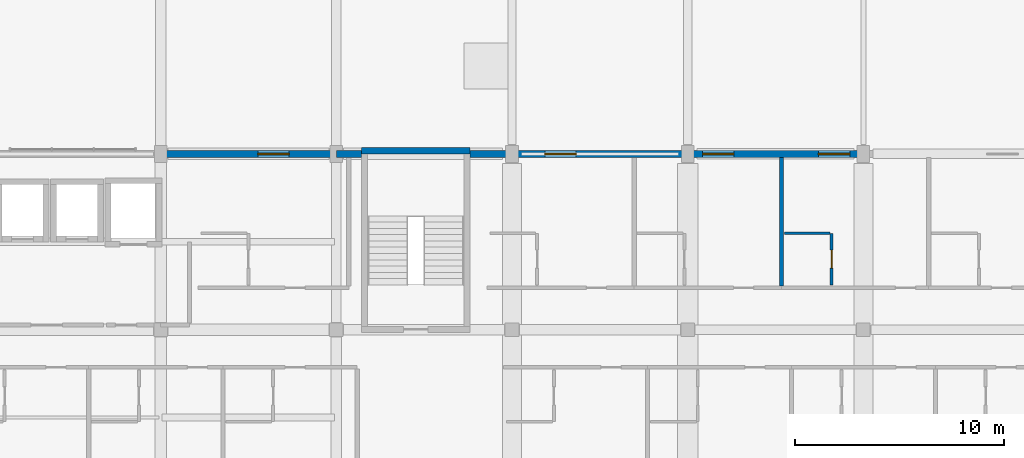
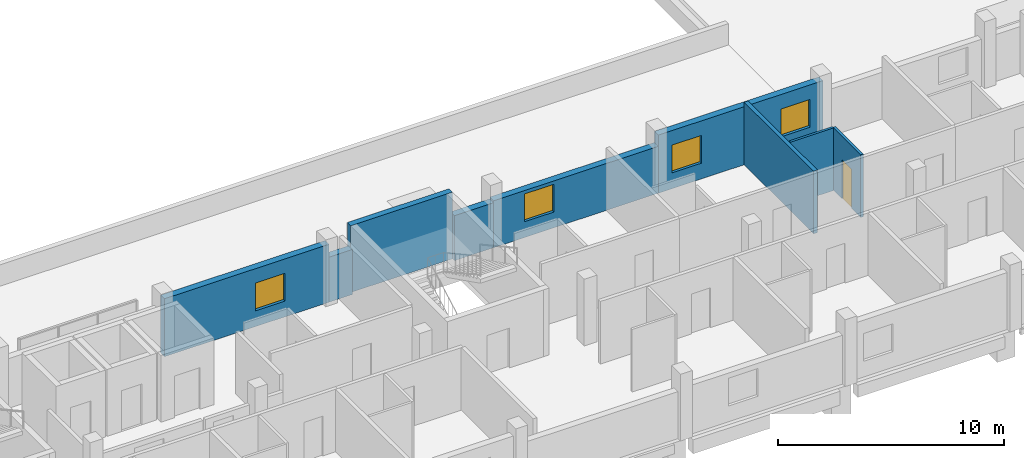
# One storey, part 35 of 42: 9 walls, 4 windows, 1 door, 5 openings.
"""IFC4 building model written with IfcOpenShell, lengths in metres."""

from ifc_helpers import new_model, si_unit, derived_unit, direction, frame, frame_2d, origin, place, context, subcontext, project, spatial, rectangle, extrude, material, layer, layer_set, type_object, element, fill, save


model = new_model("IFC4")

# Units and contexts
model_context = context("Model", 3, precision=1e-05, world=origin(), true_north=direction((0.0, 1.0)))
body_context = subcontext(model_context, "Body", "Model", "MODEL_VIEW")
ifc_project = project(units=[si_unit("LENGTHUNIT", "METRE"), si_unit("AREAUNIT", "SQUARE_METRE"), si_unit("VOLUMEUNIT", "CUBIC_METRE"), si_unit("PLANEANGLEUNIT", "RADIAN"), si_unit("MASSUNIT", "GRAM", prefix="KILO"), derived_unit("THERMALTRANSMITTANCEUNIT", [(si_unit("POWERUNIT", "WATT"), 1), (si_unit("LENGTHUNIT", "METRE"), -2), (si_unit("THERMODYNAMICTEMPERATUREUNIT", "KELVIN"), -1)])], contexts=[model_context])

# Site, building, storey
site_placement = place(None, origin())
site = spatial("IfcSite", under=ifc_project, at=site_placement, CompositionType="ELEMENT")
building_placement = place(site_placement, origin())
building = spatial("IfcBuilding", under=site, at=building_placement, Name="Barrovel Congress Hotel", CompositionType="ELEMENT")
storey_placement = place(building_placement, frame((0.0, 0.0, 18.300048828125)))
storey = spatial("IfcBuildingStorey", under=building, at=storey_placement, Name="L04", CompositionType="ELEMENT", Elevation=18.300048828125)

# Wall, openings, windows
ifc_material_1 = material(Name="Fired Clay Brick Masonry", Category="masonry")
ifc_layer_1 = layer(ifc_material_1, 0.340087890625)
ifc_layer_set_1 = layer_set([ifc_layer_1], Name="Fired Clay Brick Masonry")
wall_type_1 = type_object("IfcWallType", Name="EW-BRK340", PredefinedType="STANDARD", material=ifc_layer_set_1)
wall_1_placement = place(storey_placement, frame((126.0, 21.0, 0.0), z_axis=(0.0, 0.0, 1.0), x_axis=(-1.0, 0.0, 0.0)))
wall_1 = element("IfcWall", 1, at=wall_1_placement, inside=storey, type_object=wall_type_1, Name="EW:L04:HS-NE-2:P03", PredefinedType="STANDARD", context=body_context, shape_type="SweptSolid", body=[
    extrude(rectangle(XDim=8.39990234375, YDim=0.340087890625, at=frame_2d((4.199951171875, 0.0))), origin(), (0.0, 0.0, 1.0), 3.133056640625),
])
opening_1_placement = place(wall_1_placement, frame((6.18994140625, 0.0, 0.85009765625)))
opening_1 = element("IfcOpeningElement", 2, at=opening_1_placement, cuts=wall_1, Name="Opening WN-07", PredefinedType="OPENING", context=body_context, shape_type="SweptSolid", body=[
    extrude(rectangle(XDim=1.5, YDim=1.5, at=frame_2d((0.75, 0.75))), frame((0.0, 0.18017578125, 0.0), z_axis=(0.0, -1.0, 0.0), x_axis=(1.0, 0.0, 0.0)), (0.0, 0.0, 1.0), 0.360107421875),
])
opening_2_placement = place(wall_1_placement, frame((0.64990234375, 0.0, 0.85009765625)))
opening_2 = element("IfcOpeningElement", 3, at=opening_2_placement, cuts=wall_1, Name="Opening WN-07", PredefinedType="OPENING", context=body_context, shape_type="SweptSolid", body=[
    extrude(rectangle(XDim=1.5, YDim=1.5, at=frame_2d((0.75, 0.75))), frame((0.0, 0.18017578125, 0.0), z_axis=(0.0, -1.0, 0.0), x_axis=(1.0, 0.0, 0.0)), (0.0, 0.0, 1.0), 0.360107421875),
])
ifc_material_2 = material(Name="Double Low-E Insulated Glazing", Category="glass")
window_type = type_object("IfcWindowType", Name="WIN-WN-07", PartitioningType="SINGLE_PANEL", PredefinedType="WINDOW", material=ifc_material_2)
window_1_placement = place(opening_1_placement, origin())
window_1 = element("IfcWindow", 4, at=window_1_placement, inside=storey, type_object=window_type, Name="WIN:L04:U26", OverallHeight=1.5, OverallWidth=1.5, PartitioningType="SINGLE_PANEL", PredefinedType="WINDOW", context=body_context, shape_type="SweptSolid", body=[
    extrude(rectangle(XDim=1.5, YDim=1.5, at=frame_2d((0.75, 0.75))), frame((0.0, 0.030029296875, 0.0), z_axis=(0.0, -1.0, 0.0), x_axis=(1.0, 0.0, 0.0)), (0.0, 0.0, 1.0), 0.06005859375),
])
fill(opening_1, window_1)
window_2_placement = place(opening_2_placement, origin())
window_2 = element("IfcWindow", 5, at=window_2_placement, inside=storey, type_object=window_type, Name="WIN:L04:U27", OverallHeight=1.5, OverallWidth=1.5, PartitioningType="SINGLE_PANEL", PredefinedType="WINDOW", context=body_context, shape_type="SweptSolid", body=[
    extrude(rectangle(XDim=1.5, YDim=1.5, at=frame_2d((0.75, 0.75))), frame((0.0, 0.030029296875, 0.0), z_axis=(0.0, -1.0, 0.0), x_axis=(1.0, 0.0, 0.0)), (0.0, 0.0, 1.0), 0.06005859375),
])
fill(opening_2, window_2)

# Wall, opening, window
wall_2_placement = place(storey_placement, frame((117.60009765625, 21.0, 0.0), z_axis=(0.0, 0.0, 1.0), x_axis=(-1.0, 0.0, 0.0)))
wall_2 = element("IfcWall", 6, at=wall_2_placement, inside=storey, type_object=wall_type_1, Name="EW:L04:HS-NE-2:P04", PredefinedType="STANDARD", context=body_context, shape_type="SweptSolid", body=[
    extrude(rectangle(XDim=8.400146484375, YDim=0.340087890625, at=frame_2d((4.2001953125, 0.0))), origin(), (0.0, 0.0, 1.0), 2.530029296875),
])
opening_3_placement = place(wall_2_placement, frame((5.330078125, 0.0, 0.85009765625)))
opening_3 = element("IfcOpeningElement", 7, at=opening_3_placement, cuts=wall_2, Name="Opening WN-07", PredefinedType="OPENING", context=body_context, shape_type="SweptSolid", body=[
    extrude(rectangle(XDim=1.5, YDim=1.5, at=frame_2d((0.75, 0.75))), frame((0.0, 0.18017578125, 0.0), z_axis=(0.0, -1.0, 0.0), x_axis=(1.0, 0.0, 0.0)), (0.0, 0.0, 1.0), 0.360107421875),
])
window_3_placement = place(opening_3_placement, origin())
window_3 = element("IfcWindow", 8, at=window_3_placement, inside=storey, type_object=window_type, Name="WIN:L04:U25", OverallHeight=1.5, OverallWidth=1.5, PartitioningType="SINGLE_PANEL", PredefinedType="WINDOW", context=body_context, shape_type="SweptSolid", body=[
    extrude(rectangle(XDim=1.5, YDim=1.5, at=frame_2d((0.75, 0.75))), frame((0.0, 0.030029296875, 0.0), z_axis=(0.0, -1.0, 0.0), x_axis=(1.0, 0.0, 0.0)), (0.0, 0.0, 1.0), 0.06005859375),
])
fill(opening_3, window_3)

# Walls
wall_3_placement = place(storey_placement, frame((109.199951171875, 21.0, 0.0), z_axis=(0.0, 0.0, 1.0), x_axis=(-1.0, 0.0, 0.0)))
element("IfcWall", 9, at=wall_3_placement, inside=storey, type_object=wall_type_1, Name="EW:L04:HS-NE-2:P05", PredefinedType="STANDARD", context=body_context, shape_type="SweptSolid", body=[
    extrude(rectangle(XDim=2.0, YDim=0.340087890625, at=frame_2d((1.0, 0.0))), origin(), (0.0, 0.0, 1.0), 2.429931640625),
])
wall_4_placement = place(storey_placement, frame((102.0, 21.0, 0.0), z_axis=(0.0, 0.0, 1.0), x_axis=(-1.0, 0.0, 0.0)))
element("IfcWall", 10, at=wall_4_placement, inside=storey, type_object=wall_type_1, Name="EW:L04:HS-NE-3:P01", PredefinedType="STANDARD", context=body_context, shape_type="SweptSolid", body=[
    extrude(rectangle(XDim=1.199951171875, YDim=0.340087890625, at=frame_2d((0.60009765625, 0.0))), origin(), (0.0, 0.0, 1.0), 2.429931640625),
])

# Wall, opening, window
wall_5_placement = place(storey_placement, frame((100.800048828125, 21.0, 0.0), z_axis=(0.0, 0.0, 1.0), x_axis=(-1.0, 0.0, 0.0)))
wall_5 = element("IfcWall", 11, at=wall_5_placement, inside=storey, type_object=wall_type_1, Name="EW:L04:HS-NE-3:P02", PredefinedType="STANDARD", context=body_context, shape_type="SweptSolid", body=[
    extrude(rectangle(XDim=8.400146484375, YDim=0.340087890625, at=frame_2d((4.2001953125, 0.0))), origin(), (0.0, 0.0, 1.0), 3.1259765625),
])
opening_4_placement = place(wall_5_placement, frame((2.25, 0.0, 0.85009765625)))
opening_4 = element("IfcOpeningElement", 12, at=opening_4_placement, cuts=wall_5, Name="Opening WN-07", PredefinedType="OPENING", context=body_context, shape_type="SweptSolid", body=[
    extrude(rectangle(XDim=1.5, YDim=1.5, at=frame_2d((0.75, 0.75))), frame((0.0, 0.18017578125, 0.0), z_axis=(0.0, -1.0, 0.0), x_axis=(1.0, 0.0, 0.0)), (0.0, 0.0, 1.0), 0.360107421875),
])
window_4_placement = place(opening_4_placement, origin())
window_4 = element("IfcWindow", 13, at=window_4_placement, inside=storey, type_object=window_type, Name="WIN:L04:U24", OverallHeight=1.5, OverallWidth=1.5, PartitioningType="SINGLE_PANEL", PredefinedType="WINDOW", context=body_context, shape_type="SweptSolid", body=[
    extrude(rectangle(XDim=1.5, YDim=1.5, at=frame_2d((0.75, 0.75))), frame((0.0, 0.030029296875, 0.0), z_axis=(0.0, -1.0, 0.0), x_axis=(1.0, 0.0, 0.0)), (0.0, 0.0, 1.0), 0.06005859375),
])
fill(opening_4, window_4)

# Walls
ifc_material_3 = material(Name="Gypsum Acoustic Stud", Category="gypsum")
ifc_layer_2 = layer(ifc_material_3, 0.1201171875)
ifc_layer_set_2 = layer_set([ifc_layer_2], Name="Gypsum Acoustic Stud")
wall_type_2 = type_object("IfcWallType", Name="PW-INT-120", PredefinedType="PARTITIONING", material=ifc_layer_set_2)
wall_6_placement = place(storey_placement, frame((122.219970703125, 17.199951171875, 0.0), z_axis=(0.0, 0.0, 1.0), x_axis=(1.0, 0.0, 0.0)))
element("IfcWall", 14, at=wall_6_placement, inside=storey, type_object=wall_type_2, Name="PW:L04:U27:B2", PredefinedType="PARTITIONING", context=body_context, shape_type="SweptSolid", body=[
    extrude(rectangle(XDim=2.18994140625, YDim=0.1201171875, at=frame_2d((1.094970703125, 0.0))), origin(), (0.0, 0.0, 1.0), 3.375),
])
ifc_layer_3 = layer(ifc_material_1, 0.199951171875)
ifc_layer_set_3 = layer_set([ifc_layer_3], Name="Fired Clay Brick Masonry")
wall_type_3 = type_object("IfcWallType", Name="PW-MAS-200", PredefinedType="PARTITIONING", material=ifc_layer_set_3)
wall_7_placement = place(storey_placement, frame((122.080078125, 14.68994140625, 0.0), z_axis=(0.0, 0.0, 1.0), x_axis=(0.0, 1.0, 0.0)))
element("IfcWall", 15, at=wall_7_placement, inside=storey, type_object=wall_type_3, Name="PW:L04:U26:DEM", PredefinedType="PARTITIONING", context=body_context, shape_type="SweptSolid", body=[
    extrude(rectangle(XDim=6.14013671875, YDim=0.199951171875, at=frame_2d((3.070068359375, 0.0))), origin(), (0.0, 0.0, 1.0), 3.375),
])

# Wall, opening, door
ifc_material_4 = material(Name="Gypsum Moisture Board", Category="gypsum")
ifc_layer_4 = layer(ifc_material_4, 0.139892578125)
ifc_layer_set_4 = layer_set([ifc_layer_4], Name="Gypsum Moisture Board")
wall_type_4 = type_object("IfcWallType", Name="PW-WET-140", PredefinedType="PARTITIONING", material=ifc_layer_set_4)
wall_8_placement = place(storey_placement, frame((124.47998046875, 14.739990234375, 0.0), z_axis=(0.0, 0.0, 1.0), x_axis=(0.0, 1.0, 0.0)))
wall_8 = element("IfcWall", 16, at=wall_8_placement, inside=storey, type_object=wall_type_4, Name="PW:L04:U27:B1", PredefinedType="PARTITIONING", context=body_context, shape_type="SweptSolid", body=[
    extrude(rectangle(XDim=2.4599609375, YDim=0.139892578125, at=frame_2d((1.22998046875, 0.0))), origin(), (0.0, 0.0, 1.0), 3.375),
])
opening_5_placement = place(wall_8_placement, frame((0.800048828125, 0.0, 0.0)))
opening_5 = element("IfcOpeningElement", 17, at=opening_5_placement, cuts=wall_8, Name="Opening ID-ENS", PredefinedType="OPENING", context=body_context, shape_type="SweptSolid", body=[
    extrude(rectangle(XDim=0.860107421875, YDim=2.10009765625, at=frame_2d((0.43017578125, 1.050048828125))), frame((0.0, 0.080078125, 0.0), z_axis=(0.0, -1.0, 0.0), x_axis=(1.0, 0.0, 0.0)), (0.0, 0.0, 1.0), 0.159912109375),
])
ifc_material_5 = material(Name="Lacquered Timber Moisture Door", Category="wood")
door_type = type_object("IfcDoorType", Name="IDR-ID-ENS", OperationType="NOTDEFINED", PredefinedType="DOOR", material=ifc_material_5)
door_placement = place(opening_5_placement, origin())
door = element("IfcDoor", 18, at=door_placement, inside=storey, type_object=door_type, Name="DR:L04:U27:ENS", OperationType="SINGLE_SWING_LEFT", OverallHeight=2.10009765625, OverallWidth=0.860107421875, PredefinedType="DOOR", context=body_context, shape_type="SweptSolid", body=[
    extrude(rectangle(XDim=0.860107421875, YDim=2.10009765625, at=frame_2d((0.43017578125, 1.050048828125))), frame((0.0, 0.02490234375, 0.0), z_axis=(0.0, -1.0, 0.0), x_axis=(1.0, 0.0, 0.0)), (0.0, 0.0, 1.0), 0.050048828125),
])
fill(opening_5, door)

# Wall
ifc_material_6 = material(Name="Concrete C40", Category="concrete")
ifc_layer_5 = layer(ifc_material_6, 0.300048828125)
ifc_layer_set_5 = layer_set([ifc_layer_5], Name="Concrete C40")
wall_type_5 = type_object("IfcWallType", Name="SW-C40-300", PredefinedType="SHEAR", material=ifc_layer_set_5)
wall_9_placement = place(storey_placement, frame((107.199951171875, 21.14990234375, 0.0), z_axis=(0.0, 0.0, 1.0), x_axis=(-1.0, 0.0, 0.0)))
element("IfcWall", 19, at=wall_9_placement, inside=storey, type_object=wall_type_5, Name="SHW:XS-03:L04:N", PredefinedType="SHEAR", context=body_context, shape_type="SweptSolid", body=[
    extrude(rectangle(XDim=5.199951171875, YDim=0.300048828125, at=frame_2d((2.60009765625, 0.0))), origin(), (0.0, 0.0, 1.0), 3.599853515625),
])

save(model, "model.ifc")
